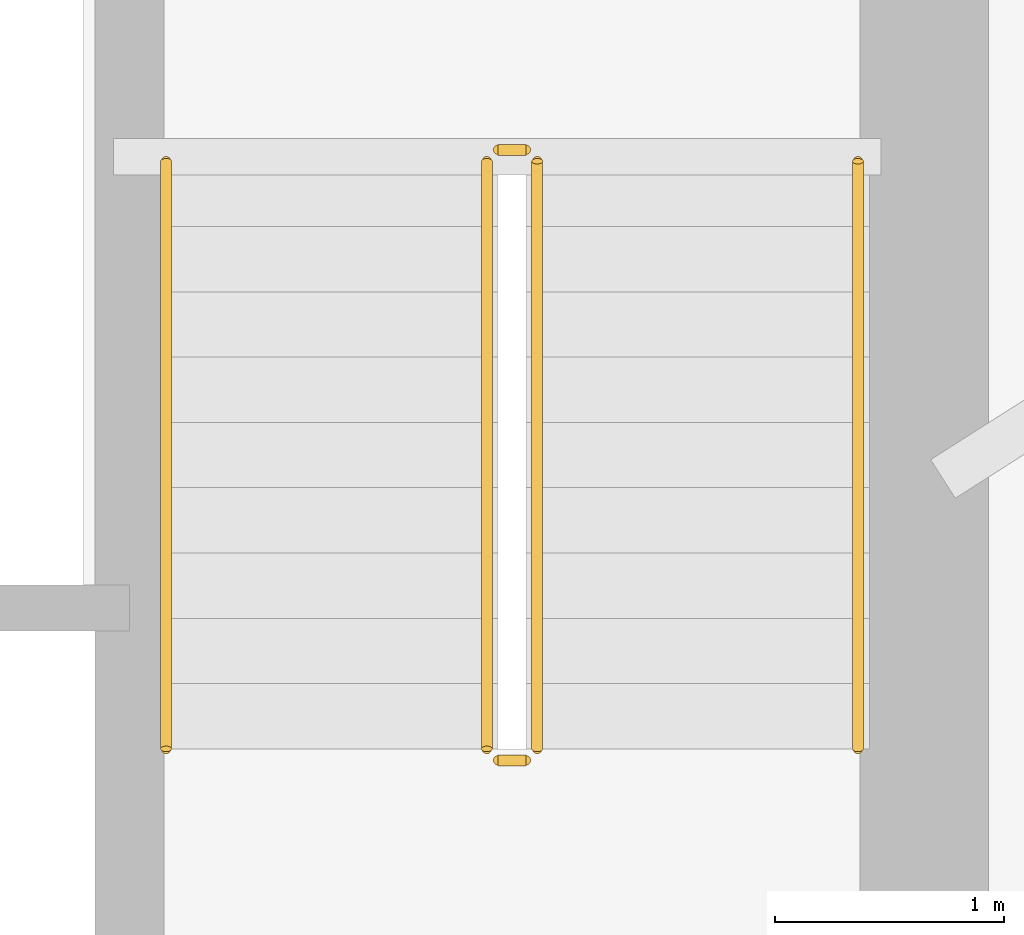
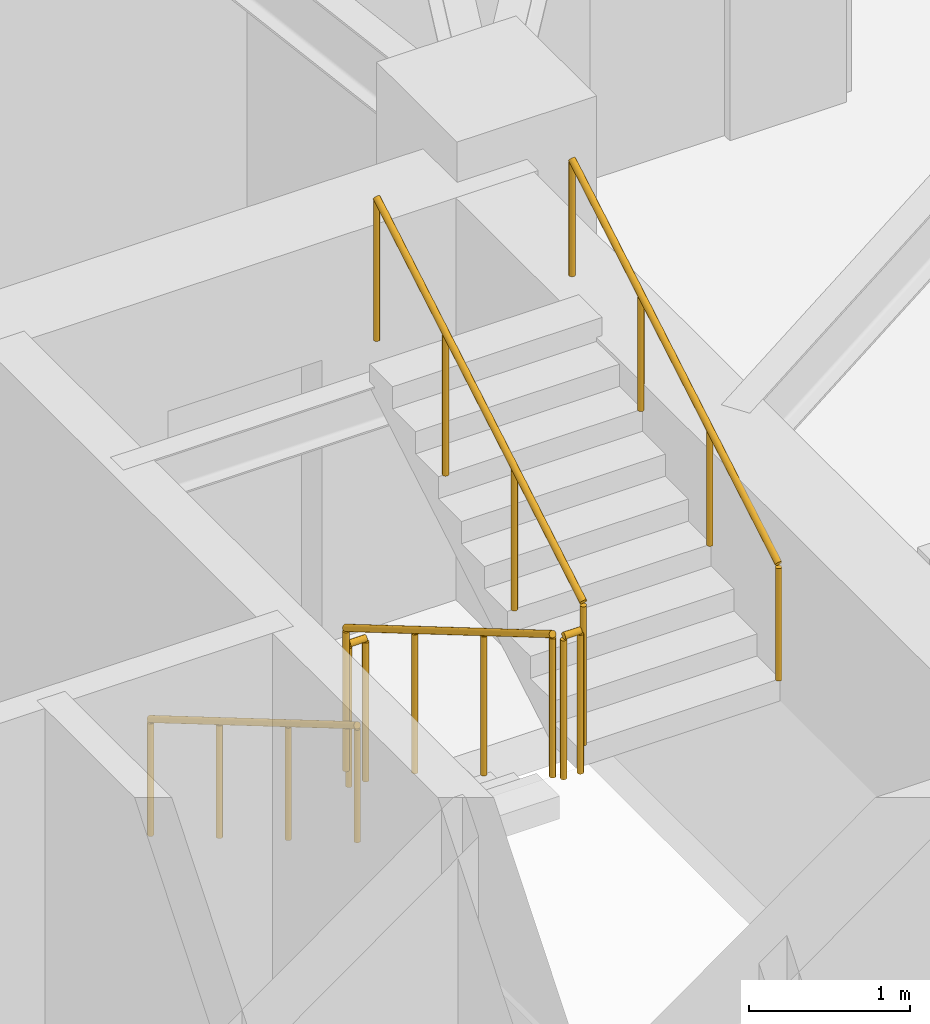
# One storey, part 23 of 23: 6 railings.
"""IFC4 building model written with IfcOpenShell, lengths in metres."""

from ifc_helpers import new_model, si_unit, direction, frame, origin, origin_2d, place, context, subcontext, project, spatial, circle, extrude, material, type_object, element, save


model = new_model("IFC4")

# Units and contexts
model_context = context("Model", 3, precision=1e-05, world=origin(), true_north=direction((0.0, 1.0)))
body_context = subcontext(model_context, "Body", "Model", "MODEL_VIEW")
ifc_project = project(units=[si_unit("LENGTHUNIT", "METRE"), si_unit("AREAUNIT", "SQUARE_METRE"), si_unit("VOLUMEUNIT", "CUBIC_METRE"), si_unit("PLANEANGLEUNIT", "RADIAN"), si_unit("MASSUNIT", "GRAM", prefix="KILO")], contexts=[model_context])

# Site, building, storey
site_placement = place(None, origin())
site = spatial("IfcSite", under=ifc_project, at=site_placement, CompositionType="ELEMENT")
building_placement = place(site_placement, origin())
building = spatial("IfcBuilding", under=site, at=building_placement, Name="Qobustan Lattice House", CompositionType="ELEMENT")
storey_placement = place(building_placement, frame((0.0, 0.0, 95.75)))
storey = spatial("IfcBuildingStorey", under=building, at=storey_placement, Name="L26", CompositionType="ELEMENT", Elevation=95.75)

# Railings
ifc_material_1 = material(Name="Brushed stainless steel handrail", Category="steel")
railing_type_1 = type_object("IfcRailingType", Name="RAL-HR-920", PredefinedType="HANDRAIL", material=ifc_material_1)
railing_1_placement = place(storey_placement, frame((15.179931640625, 3.5, 0.16748046875)))
element("IfcRailing", 1, at=railing_1_placement, inside=storey, type_object=railing_type_1, Name="L26 ST-E1 stair handrail 1", PredefinedType="HANDRAIL", context=body_context, shape_type="SweptSolid", body=[
    extrude(circle(Radius=0.02392578125, at=origin_2d()), frame((0.0, 0.0, 0.8759765625), z_axis=(0.0, -0.862113467892, 0.50671527358), x_axis=(1.0, 0.0, 0.0)), (0.0, 0.0, 1.0), 2.97509765625),
    extrude(circle(Radius=0.02099609375, at=origin_2d()), origin(), (0.0, 0.0, 1.0), 0.851806640625),
    extrude(circle(Radius=0.02099609375, at=origin_2d()), frame((0.0, -0.85498046875, 0.50244140625)), (0.0, 0.0, 1.0), 0.851806640625),
    extrude(circle(Radius=0.02099609375, at=origin_2d()), frame((0.0, -1.7099609375, 1.005126953125)), (0.0, 0.0, 1.0), 0.851806640625),
    extrude(circle(Radius=0.02099609375, at=origin_2d()), frame((0.0, -2.56494140625, 1.507568359375)), (0.0, 0.0, 1.0), 0.851806640625),
])
railing_2_placement = place(storey_placement, frame((18.199951171875, 0.93505859375, 1.842529296875)))
element("IfcRailing", 2, at=railing_2_placement, inside=storey, type_object=railing_type_1, Name="L26 ST-E1 stair handrail 2", PredefinedType="HANDRAIL", context=body_context, shape_type="SweptSolid", body=[
    extrude(circle(Radius=0.02392578125, at=origin_2d()), frame((0.0, 0.0, 0.8759765625), z_axis=(0.0, 0.862113467892, 0.50671527358), x_axis=(-1.0, 0.0, 0.0)), (0.0, 0.0, 1.0), 2.97509765625),
    extrude(circle(Radius=0.02099609375, at=origin_2d()), origin(), (0.0, 0.0, 1.0), 0.851806640625),
    extrude(circle(Radius=0.02099609375, at=origin_2d()), frame((0.0, 0.85498046875, 0.50244140625)), (0.0, 0.0, 1.0), 0.851806640625),
    extrude(circle(Radius=0.02099609375, at=origin_2d()), frame((0.0, 1.7099609375, 1.005126953125)), (0.0, 0.0, 1.0), 0.851806640625),
    extrude(circle(Radius=0.02099609375, at=origin_2d()), frame((0.0, 2.56494140625, 1.507568359375)), (0.0, 0.0, 1.0), 0.851806640625),
])
ifc_material_2 = material(Name="Painted galvanized steel guardrail", Category="steel")
railing_type_2 = type_object("IfcRailingType", Name="RAL-STG-1150", PredefinedType="GUARDRAIL", material=ifc_material_2)
railing_3_placement = place(storey_placement, frame((16.580078125, 3.5, 0.16748046875)))
element("IfcRailing", 3, at=railing_3_placement, inside=storey, type_object=railing_type_2, Name="L26 ST-E1 stair guard 1", PredefinedType="GUARDRAIL", context=body_context, shape_type="SweptSolid", body=[
    extrude(circle(Radius=0.02392578125, at=origin_2d()), frame((0.0, 0.0, 1.076171875), z_axis=(0.0, -0.862113467892, 0.50671527358), x_axis=(1.0, 0.0, 0.0)), (0.0, 0.0, 1.0), 2.97509765625),
    extrude(circle(Radius=0.02099609375, at=origin_2d()), origin(), (0.0, 0.0, 1.0), 1.052001953125),
    extrude(circle(Radius=0.02099609375, at=origin_2d()), frame((0.0, -0.85498046875, 0.50244140625)), (0.0, 0.0, 1.0), 1.052001953125),
    extrude(circle(Radius=0.02099609375, at=origin_2d()), frame((0.0, -1.7099609375, 1.005126953125)), (0.0, 0.0, 1.0), 1.052001953125),
    extrude(circle(Radius=0.02099609375, at=origin_2d()), frame((0.0, -2.56494140625, 1.507568359375)), (0.0, 0.0, 1.0), 1.052001953125),
])
railing_4_placement = place(storey_placement, frame((16.6298828125, 0.885009765625, 1.675048828125)))
element("IfcRailing", 4, at=railing_4_placement, inside=storey, type_object=railing_type_2, Name="L26 ST-E1 stair guard 2", PredefinedType="GUARDRAIL", context=body_context, shape_type="SweptSolid", body=[
    extrude(circle(Radius=0.02392578125, at=origin_2d()), frame((0.0, 0.0, 1.076171875), z_axis=(1.0, 0.0, 0.0), x_axis=(0.0, 1.0, 0.0)), (0.0, 0.0, 1.0), 0.1201171875),
    extrude(circle(Radius=0.02099609375, at=origin_2d()), origin(), (0.0, 0.0, 1.0), 1.052001953125),
    extrude(circle(Radius=0.02099609375, at=origin_2d()), frame((0.1201171875, 0.0, 0.0)), (0.0, 0.0, 1.0), 1.052001953125),
])
railing_5_placement = place(storey_placement, frame((16.800048828125, 0.93505859375, 1.842529296875)))
element("IfcRailing", 5, at=railing_5_placement, inside=storey, type_object=railing_type_2, Name="L26 ST-E1 stair guard 3", PredefinedType="GUARDRAIL", context=body_context, shape_type="SweptSolid", body=[
    extrude(circle(Radius=0.02392578125, at=origin_2d()), frame((0.0, 0.0, 1.076171875), z_axis=(0.0, 0.862113467892, 0.50671527358), x_axis=(-1.0, 0.0, 0.0)), (0.0, 0.0, 1.0), 2.97509765625),
    extrude(circle(Radius=0.02099609375, at=origin_2d()), origin(), (0.0, 0.0, 1.0), 1.052001953125),
    extrude(circle(Radius=0.02099609375, at=origin_2d()), frame((0.0, 0.85498046875, 0.50244140625)), (0.0, 0.0, 1.0), 1.052001953125),
    extrude(circle(Radius=0.02099609375, at=origin_2d()), frame((0.0, 1.7099609375, 1.005126953125)), (0.0, 0.0, 1.0), 1.052001953125),
    extrude(circle(Radius=0.02099609375, at=origin_2d()), frame((0.0, 2.56494140625, 1.507568359375)), (0.0, 0.0, 1.0), 1.052001953125),
])
railing_6_placement = place(storey_placement, frame((16.6298828125, 3.550048828125, 0.0)))
element("IfcRailing", 6, at=railing_6_placement, inside=storey, type_object=railing_type_2, Name="L26 ST-E1 stair guard 4", PredefinedType="GUARDRAIL", context=body_context, shape_type="SweptSolid", body=[
    extrude(circle(Radius=0.02392578125, at=origin_2d()), frame((0.0, 0.0, 1.076171875), z_axis=(1.0, 0.0, 0.0), x_axis=(0.0, 1.0, 0.0)), (0.0, 0.0, 1.0), 0.1201171875),
    extrude(circle(Radius=0.02099609375, at=origin_2d()), origin(), (0.0, 0.0, 1.0), 1.052001953125),
    extrude(circle(Radius=0.02099609375, at=origin_2d()), frame((0.1201171875, 0.0, 0.0)), (0.0, 0.0, 1.0), 1.052001953125),
])

save(model, "model.ifc")
